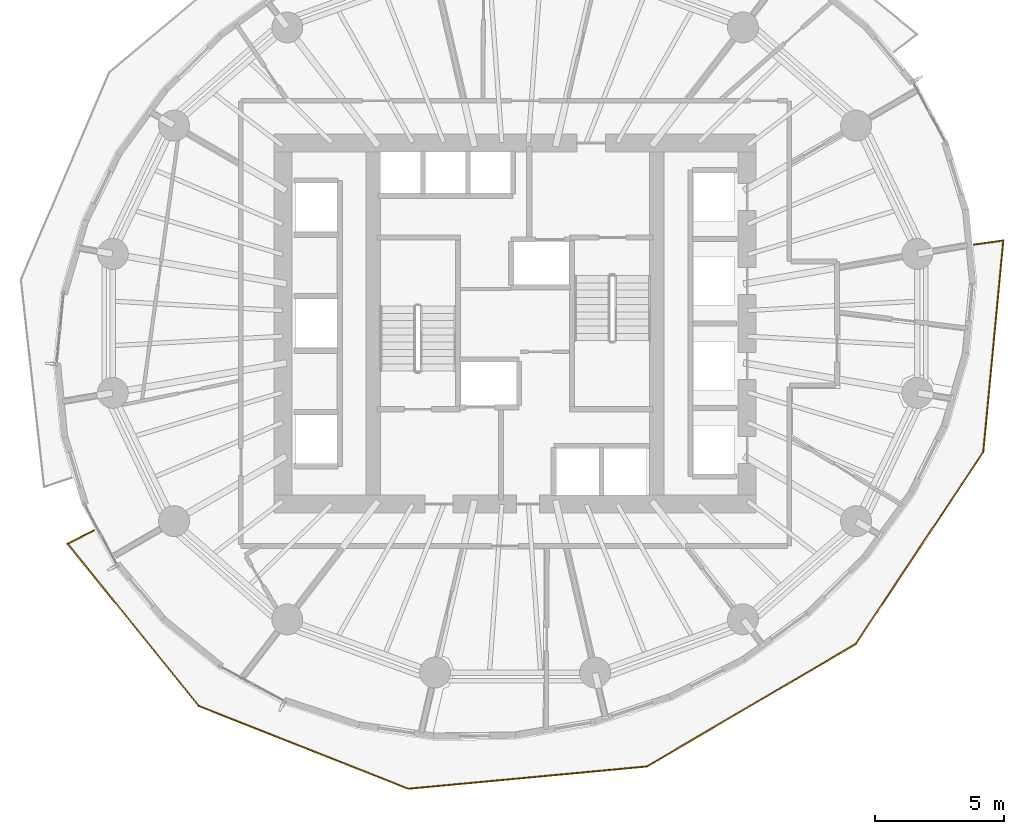
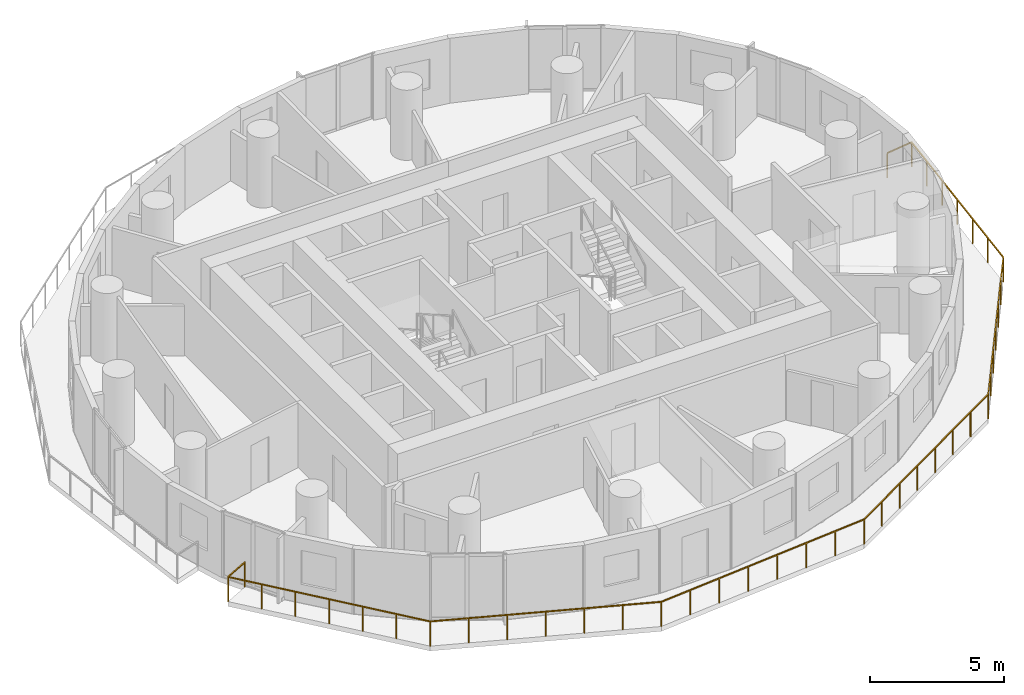
# One storey, part 12 of 14: 1 railing.
"""IFC4 building model written with IfcOpenShell, lengths in metres."""

import ifcopenshell
import ifcopenshell.guid

model = None  # the IFC model being written
_history = None  # IfcOwnerHistory: only IFC2X3 demands one
_inside = {}  # id of a spatial element -> (the spatial element, [elements in it])
_under = {}  # id of a project, library or spatial element -> (it, [spatial elements below it])
_declared = {}  # id of a project -> (the project, [libraries it declares])
_typed = {}  # id of a type object -> (the type object, [elements of that type])
_made_of = {}  # id of a material, layer set ... -> (it, [elements and type objects made of it])


def new_model(schema):
    """Start an empty IFC model of exactly this schema.

    Asked for "IFC4X3", IfcOpenShell would pick the latest addendum, in which some entities
    have other attributes; the version numbers below select the first issue.
    IFC2X3 requires an IfcOwnerHistory on every rooted entity: one is made here for all.
    """
    global model, _history
    if schema == "IFC4X3":
        model = ifcopenshell.file(schema_version=(4, 3, 0, 0))
    else:
        model = ifcopenshell.file(schema=schema)
    _inside.clear()
    _under.clear()
    _declared.clear()
    _typed.clear()
    _made_of.clear()
    _history = None
    if model.schema == "IFC2X3":
        org = make("IfcOrganization", Name="unknown")
        user = make(
            "IfcPersonAndOrganization",
            ThePerson=make("IfcPerson", FamilyName="unknown"),
            TheOrganization=org,
        )
        app = make(
            "IfcApplication",
            ApplicationDeveloper=org,
            Version="unknown",
            ApplicationFullName="unknown",
            ApplicationIdentifier="unknown",
        )
        _history = make(
            "IfcOwnerHistory",
            OwningUser=user,
            OwningApplication=app,
            ChangeAction="ADDED",
            CreationDate=0,
        )
    return model


def make(cls, **values):
    """One entity of the class cls with the attributes given. An attribute that is None is left unset."""
    return model.create_entity(
        cls, **{name: value for name, value in values.items() if value is not None}
    )


def rooted(cls, **values):
    """An entity with a GlobalId (a new one), such as an element, a storey or a relation."""
    return make(cls, GlobalId=ifcopenshell.guid.new(), OwnerHistory=_history, **values)


def si_unit(unit_type, name, prefix=None):
    """IfcSIUnit, for example si_unit("LENGTHUNIT", "METRE", prefix="MILLI")."""
    return make("IfcSIUnit", UnitType=unit_type, Prefix=prefix, Name=name)


def assignment(units):
    """IfcUnitAssignment: the units of a project."""
    return None if units is None else make("IfcUnitAssignment", Units=units)


def point(xyz):
    """IfcCartesianPoint."""
    return None if xyz is None else make("IfcCartesianPoint", Coordinates=xyz)


def direction(xyz):
    """IfcDirection."""
    return None if xyz is None else make("IfcDirection", DirectionRatios=xyz)


def frame(location, z_axis=None, x_axis=None):
    """IfcAxis2Placement3D, a coordinate frame: its origin and axes. An axis left out is left unset."""
    return make(
        "IfcAxis2Placement3D",
        Location=point(location),
        Axis=direction(z_axis),
        RefDirection=direction(x_axis),
    )


def frame_2d(location, x_axis=None):
    """IfcAxis2Placement2D, a coordinate frame in the plane: its origin and x axis."""
    return make(
        "IfcAxis2Placement2D", Location=point(location), RefDirection=direction(x_axis)
    )


def origin():
    """The frame at (0, 0, 0) with its axes left unset."""
    return frame((0.0, 0.0, 0.0))


def origin_2d():
    """The frame at (0, 0) in the plane with its x axis left unset."""
    return frame_2d((0.0, 0.0))


def place(relative_to, where):
    """IfcLocalPlacement: puts the frame where relative to a parent placement (None: the world)."""
    return make(
        "IfcLocalPlacement", PlacementRelTo=relative_to, RelativePlacement=where
    )


def context(
    kind, dimensions, precision=None, world=None, true_north=None, identifier=None
):
    """IfcGeometricRepresentationContext, for example the 3D "Model" context."""
    return make(
        "IfcGeometricRepresentationContext",
        ContextIdentifier=identifier,
        ContextType=kind,
        CoordinateSpaceDimension=dimensions,
        Precision=precision,
        WorldCoordinateSystem=world,
        TrueNorth=true_north,
    )


def subcontext(parent, identifier, kind, view, scale=None):
    """IfcGeometricRepresentationSubContext, for example "Body" below "Model"."""
    return make(
        "IfcGeometricRepresentationSubContext",
        ContextIdentifier=identifier,
        ContextType=kind,
        ParentContext=parent,
        TargetScale=scale,
        TargetView=view,
    )


def project(units=None, contexts=None):
    """IfcProject with its units and contexts."""
    return rooted(
        "IfcProject",
        Name="project",
        RepresentationContexts=contexts,
        UnitsInContext=assignment(units),
    )


def spatial(cls, under=None, at=None, **own):
    """A site, building, storey or space (cls), placed at a placement, below another one or the project."""
    s = rooted(cls, ObjectPlacement=at, **own)
    if under is not None:
        _under.setdefault(under.id(), (under, []))[1].append(s)
    return s


def profile(cls, at=None, kind="AREA", **sizes):
    """A parametric profile (cls). Its sizes go by their IFC names, for example OverallWidth=200.0."""
    return make(cls, ProfileType=kind, Position=at, **sizes)


def rectangle(**sizes):
    """IfcRectangleProfileDef."""
    return profile("IfcRectangleProfileDef", **sizes)


def extrude(swept, where, along, depth):
    """IfcExtrudedAreaSolid: the profile swept, set in the frame where, extruded along a direction by depth."""
    return make(
        "IfcExtrudedAreaSolid",
        SweptArea=swept,
        Position=where,
        ExtrudedDirection=direction(along),
        Depth=depth,
    )


def shape(context_of_items, identifier, shape_type, items):
    """IfcShapeRepresentation: the items that make up one representation, for example the "Body"."""
    return make(
        "IfcShapeRepresentation",
        ContextOfItems=context_of_items,
        RepresentationIdentifier=identifier,
        RepresentationType=shape_type,
        Items=items,
    )


def material(Name=None, Category=None):
    """IfcMaterial."""
    return make("IfcMaterial", Name=Name, Category=Category)


def made_of(thing, what):
    """Note that an element or type object is made of a material, layer set ...; save() writes the relation."""
    if what is not None:
        _made_of.setdefault(what.id(), (what, []))[1].append(thing)
    return thing


def type_object(cls, material=None, **own):
    """A type object (cls), such as IfcWallType, which elements share."""
    return made_of(rooted(cls, **own), material)


def element(
    cls,
    number,
    at=None,
    inside=None,
    cuts=None,
    type_object=None,
    material=None,
    context=None,
    identifier="Body",
    shape_type=None,
    held_by="IfcProductDefinitionShape",
    body=None,
    shapes=None,
    **own,
):
    """One element of the class cls, such as IfcWall. Its Tag is "e" and its number.

    at: its placement. inside: the storey or other place that contains it. cuts: it is an
    opening in that element (IfcRelVoidsElement). A single representation is given by context,
    identifier, shape_type and body (its items); several are given by shapes. held_by: the class
    of the entity that holds the representations. save() writes the other relations.
    """
    e = rooted(cls, Tag="e%d" % number, ObjectPlacement=at, **own)
    if body is not None:
        shapes = [shape(context, identifier, shape_type, body)]
    if shapes is not None:
        e.Representation = make(held_by, Representations=shapes)
    if inside is not None:
        _inside.setdefault(inside.id(), (inside, []))[1].append(e)
    if cuts is not None:
        rooted(
            "IfcRelVoidsElement", RelatingBuildingElement=cuts, RelatedOpeningElement=e
        )
    if type_object is not None:
        _typed.setdefault(type_object.id(), (type_object, []))[1].append(e)
    return made_of(e, material)


def aggregate(whole, parts):
    """IfcRelAggregates: a whole, such as a stair, and the parts it consists of."""
    return rooted("IfcRelAggregates", RelatingObject=whole, RelatedObjects=parts)


def save(model, path):
    """Write the relations noted so far, then the file.

    IfcRelAggregates (storeys below a building ...), IfcRelContainedInSpatialStructure (elements
    in a storey), IfcRelDefinesByType, IfcRelAssociatesMaterial and IfcRelDeclares: one each for
    every whole, place, type object, material and project.
    """
    for whole, parts in _under.values():
        aggregate(whole, parts)
    for where, things in _inside.values():
        rooted(
            "IfcRelContainedInSpatialStructure",
            RelatedElements=things,
            RelatingStructure=where,
        )
    for kind, things in _typed.values():
        rooted("IfcRelDefinesByType", RelatedObjects=things, RelatingType=kind)
    for what, things in _made_of.values():
        rooted("IfcRelAssociatesMaterial", RelatedObjects=things, RelatingMaterial=what)
    for by, libraries in _declared.values():
        rooted("IfcRelDeclares", RelatingContext=by, RelatedDefinitions=libraries)
    model.write(path)


model = new_model("IFC4")

# Units and contexts
model_context = context("Model", 3, precision=1e-05, world=origin(), true_north=direction((0.0, 1.0)))
body_context = subcontext(model_context, "Body", "Model", "MODEL_VIEW")
ifc_project = project(units=[si_unit("LENGTHUNIT", "METRE"), si_unit("AREAUNIT", "SQUARE_METRE"), si_unit("VOLUMEUNIT", "CUBIC_METRE"), si_unit("PLANEANGLEUNIT", "RADIAN"), si_unit("MASSUNIT", "GRAM", prefix="KILO")], contexts=[model_context])

# Site, building, storey
site_placement = place(None, origin())
site = spatial("IfcSite", under=ifc_project, at=site_placement, CompositionType="ELEMENT")
building_placement = place(site_placement, origin())
building = spatial("IfcBuilding", under=site, at=building_placement, Name="Veldorim Arch Residences", CompositionType="ELEMENT")
storey_placement = place(building_placement, frame((0.0, 0.0, 99.679931640625)))
storey = spatial("IfcBuildingStorey", under=building, at=storey_placement, Name="L29", CompositionType="ELEMENT", Elevation=99.679931640625)

# Railing
ifc_material = material(Name="Aluminium", Category="aluminium")
railing_type = type_object("IfcRailingType", Name="Balcony & Terrace Laminated Glass Balustrade 1150", PredefinedType="BALUSTRADE", material=ifc_material)
railing_placement = place(storey_placement, frame((15.676025390625, 15.97705078125, 0.0)))
element("IfcRailing", 1, at=railing_placement, inside=storey, type_object=railing_type, Name="L29 crescent balcony safety balustrade B", PredefinedType="BALUSTRADE", context=body_context, shape_type="SweptSolid", body=[
    extrude(rectangle(XDim=0.048095703125, YDim=0.048095703125, at=origin_2d()), frame((0.0, 0.0, 1.1259765625), z_axis=(-0.893320552838, -0.449420059496, 0.0), x_axis=(0.449420059496, -0.893320552838, 0.0)), (0.0, 0.0, 1.0), 1.150146484375),
    extrude(rectangle(XDim=0.048095703125, YDim=0.048095703125, at=origin_2d()), frame((-1.02734375, -0.516845703125, 1.1259765625), z_axis=(0.628844035454, -0.777531465006, 0.0), x_axis=(0.777531465006, 0.628844035454, 0.0)), (0.0, 0.0, 1.0), 8.091552734375),
    extrude(rectangle(XDim=0.048095703125, YDim=0.048095703125, at=origin_2d()), frame((4.06103515625, -6.808349609375, 1.1259765625), z_axis=(0.929921370149, -0.367758406214, 0.0), x_axis=(0.367758406214, 0.929921370149, 0.0)), (0.0, 0.0, 1.0), 8.733154296875),
    extrude(rectangle(XDim=0.048095703125, YDim=0.048095703125, at=origin_2d()), frame((12.18212890625, -10.02001953125, 1.1259765625), z_axis=(0.995663778337, 0.093024945622, 0.0), x_axis=(-0.093024945622, 0.995663778337, 0.0)), (0.0, 0.0, 1.0), 9.293212890625),
    extrude(rectangle(XDim=0.048095703125, YDim=0.048095703125, at=origin_2d()), frame((21.43505859375, -9.155517578125, 1.1259765625), z_axis=(0.862618902727, 0.505854355183, 0.0), x_axis=(-0.505854355183, 0.862618902727, 0.0)), (0.0, 0.0, 1.0), 9.384765625),
    extrude(rectangle(XDim=0.048095703125, YDim=0.048095703125, at=origin_2d()), frame((29.530517578125, -4.408203125, 1.1259765625), z_axis=(0.553337928874, 0.832956863511, 0.0), x_axis=(-0.832956863511, 0.553337928874, 0.0)), (0.0, 0.0, 1.0), 8.938232421875),
    extrude(rectangle(XDim=0.048095703125, YDim=0.048095703125, at=origin_2d()), frame((34.476318359375, 3.036865234375, 1.1259765625), z_axis=(0.094523829263, 0.995522599292, 0.0), x_axis=(-0.995522599292, 0.094523829263, 0.0)), (0.0, 0.0, 1.0), 8.2392578125),
    extrude(rectangle(XDim=0.048095703125, YDim=0.048095703125, at=origin_2d()), frame((35.255126953125, 11.2392578125, 1.1259765625), z_axis=(-0.990580459083, -0.136931932299, 0.0), x_axis=(0.136931932299, -0.990580459083, 0.0)), (0.0, 0.0, 1.0), 1.14990234375),
    extrude(rectangle(XDim=0.0419921875, YDim=0.0419921875, at=origin_2d()), origin(), (0.0, 0.0, 1.0), 1.101806640625),
    extrude(rectangle(XDim=0.0419921875, YDim=0.0419921875, at=origin_2d()), frame((-1.02734375, -0.516845703125, 0.0)), (0.0, 0.0, 1.0), 1.101806640625),
    extrude(rectangle(XDim=0.0419921875, YDim=0.0419921875, at=origin_2d()), frame((-0.17919921875, -1.5654296875, 0.0)), (0.0, 0.0, 1.0), 1.101806640625),
    extrude(rectangle(XDim=0.0419921875, YDim=0.0419921875, at=origin_2d()), frame((0.668701171875, -2.614013671875, 0.0)), (0.0, 0.0, 1.0), 1.101806640625),
    extrude(rectangle(XDim=0.0419921875, YDim=0.0419921875, at=origin_2d()), frame((1.516845703125, -3.66259765625, 0.0)), (0.0, 0.0, 1.0), 1.101806640625),
    extrude(rectangle(XDim=0.0419921875, YDim=0.0419921875, at=origin_2d()), frame((2.364990234375, -4.711181640625, 0.0)), (0.0, 0.0, 1.0), 1.101806640625),
    extrude(rectangle(XDim=0.0419921875, YDim=0.0419921875, at=origin_2d()), frame((3.212890625, -5.759765625, 0.0)), (0.0, 0.0, 1.0), 1.101806640625),
    extrude(rectangle(XDim=0.0419921875, YDim=0.0419921875, at=origin_2d()), frame((4.06103515625, -6.808349609375, 0.0)), (0.0, 0.0, 1.0), 1.101806640625),
    extrude(rectangle(XDim=0.0419921875, YDim=0.0419921875, at=origin_2d()), frame((5.41455078125, -7.34375, 0.0)), (0.0, 0.0, 1.0), 1.101806640625),
    extrude(rectangle(XDim=0.0419921875, YDim=0.0419921875, at=origin_2d()), frame((6.76806640625, -7.87890625, 0.0)), (0.0, 0.0, 1.0), 1.101806640625),
    extrude(rectangle(XDim=0.0419921875, YDim=0.0419921875, at=origin_2d()), frame((8.12158203125, -8.4140625, 0.0)), (0.0, 0.0, 1.0), 1.101806640625),
    extrude(rectangle(XDim=0.0419921875, YDim=0.0419921875, at=origin_2d()), frame((9.47509765625, -8.949462890625, 0.0)), (0.0, 0.0, 1.0), 1.101806640625),
    extrude(rectangle(XDim=0.0419921875, YDim=0.0419921875, at=origin_2d()), frame((10.82861328125, -9.48486328125, 0.0)), (0.0, 0.0, 1.0), 1.101806640625),
    extrude(rectangle(XDim=0.0419921875, YDim=0.0419921875, at=origin_2d()), frame((12.18212890625, -10.02001953125, 0.0)), (0.0, 0.0, 1.0), 1.101806640625),
    extrude(rectangle(XDim=0.0419921875, YDim=0.0419921875, at=origin_2d()), frame((13.50390625, -9.896484375, 0.0)), (0.0, 0.0, 1.0), 1.101806640625),
    extrude(rectangle(XDim=0.0419921875, YDim=0.0419921875, at=origin_2d()), frame((14.825927734375, -9.77294921875, 0.0)), (0.0, 0.0, 1.0), 1.101806640625),
    extrude(rectangle(XDim=0.0419921875, YDim=0.0419921875, at=origin_2d()), frame((16.147705078125, -9.6494140625, 0.0)), (0.0, 0.0, 1.0), 1.101806640625),
    extrude(rectangle(XDim=0.0419921875, YDim=0.0419921875, at=origin_2d()), frame((17.469482421875, -9.526123046875, 0.0)), (0.0, 0.0, 1.0), 1.101806640625),
    extrude(rectangle(XDim=0.0419921875, YDim=0.0419921875, at=origin_2d()), frame((18.791259765625, -9.402587890625, 0.0)), (0.0, 0.0, 1.0), 1.101806640625),
    extrude(rectangle(XDim=0.0419921875, YDim=0.0419921875, at=origin_2d()), frame((20.11328125, -9.279052734375, 0.0)), (0.0, 0.0, 1.0), 1.101806640625),
    extrude(rectangle(XDim=0.0419921875, YDim=0.0419921875, at=origin_2d()), frame((21.43505859375, -9.155517578125, 0.0)), (0.0, 0.0, 1.0), 1.101806640625),
    extrude(rectangle(XDim=0.0419921875, YDim=0.0419921875, at=origin_2d()), frame((22.591552734375, -8.477294921875, 0.0)), (0.0, 0.0, 1.0), 1.101806640625),
    extrude(rectangle(XDim=0.0419921875, YDim=0.0419921875, at=origin_2d()), frame((23.748046875, -7.799072265625, 0.0)), (0.0, 0.0, 1.0), 1.101806640625),
    extrude(rectangle(XDim=0.0419921875, YDim=0.0419921875, at=origin_2d()), frame((24.904541015625, -7.120849609375, 0.0)), (0.0, 0.0, 1.0), 1.101806640625),
    extrude(rectangle(XDim=0.0419921875, YDim=0.0419921875, at=origin_2d()), frame((26.06103515625, -6.44287109375, 0.0)), (0.0, 0.0, 1.0), 1.101806640625),
    extrude(rectangle(XDim=0.0419921875, YDim=0.0419921875, at=origin_2d()), frame((27.217529296875, -5.7646484375, 0.0)), (0.0, 0.0, 1.0), 1.101806640625),
    extrude(rectangle(XDim=0.0419921875, YDim=0.0419921875, at=origin_2d()), frame((28.3740234375, -5.08642578125, 0.0)), (0.0, 0.0, 1.0), 1.101806640625),
    extrude(rectangle(XDim=0.0419921875, YDim=0.0419921875, at=origin_2d()), frame((29.530517578125, -4.408203125, 0.0)), (0.0, 0.0, 1.0), 1.101806640625),
    extrude(rectangle(XDim=0.0419921875, YDim=0.0419921875, at=origin_2d()), frame((30.354736328125, -3.16748046875, 0.0)), (0.0, 0.0, 1.0), 1.101806640625),
    extrude(rectangle(XDim=0.0419921875, YDim=0.0419921875, at=origin_2d()), frame((31.17919921875, -1.926513671875, 0.0)), (0.0, 0.0, 1.0), 1.101806640625),
    extrude(rectangle(XDim=0.0419921875, YDim=0.0419921875, at=origin_2d()), frame((32.00341796875, -0.685546875, 0.0)), (0.0, 0.0, 1.0), 1.101806640625),
    extrude(rectangle(XDim=0.0419921875, YDim=0.0419921875, at=origin_2d()), frame((32.82763671875, 0.55517578125, 0.0)), (0.0, 0.0, 1.0), 1.101806640625),
    extrude(rectangle(XDim=0.0419921875, YDim=0.0419921875, at=origin_2d()), frame((33.652099609375, 1.7958984375, 0.0)), (0.0, 0.0, 1.0), 1.101806640625),
    extrude(rectangle(XDim=0.0419921875, YDim=0.0419921875, at=origin_2d()), frame((34.476318359375, 3.036865234375, 0.0)), (0.0, 0.0, 1.0), 1.101806640625),
    extrude(rectangle(XDim=0.0419921875, YDim=0.0419921875, at=origin_2d()), frame((34.606201171875, 4.40380859375, 0.0)), (0.0, 0.0, 1.0), 1.101806640625),
    extrude(rectangle(XDim=0.0419921875, YDim=0.0419921875, at=origin_2d()), frame((34.73583984375, 5.77099609375, 0.0)), (0.0, 0.0, 1.0), 1.101806640625),
    extrude(rectangle(XDim=0.0419921875, YDim=0.0419921875, at=origin_2d()), frame((34.86572265625, 7.13818359375, 0.0)), (0.0, 0.0, 1.0), 1.101806640625),
    extrude(rectangle(XDim=0.0419921875, YDim=0.0419921875, at=origin_2d()), frame((34.99560546875, 8.505126953125, 0.0)), (0.0, 0.0, 1.0), 1.101806640625),
    extrude(rectangle(XDim=0.0419921875, YDim=0.0419921875, at=origin_2d()), frame((35.125244140625, 9.8720703125, 0.0)), (0.0, 0.0, 1.0), 1.101806640625),
    extrude(rectangle(XDim=0.0419921875, YDim=0.0419921875, at=origin_2d()), frame((35.255126953125, 11.2392578125, 0.0)), (0.0, 0.0, 1.0), 1.101806640625),
    extrude(rectangle(XDim=0.0419921875, YDim=0.0419921875, at=origin_2d()), frame((34.115966796875, 11.081787109375, 0.0)), (0.0, 0.0, 1.0), 1.101806640625),
])

save(model, "model.ifc")
